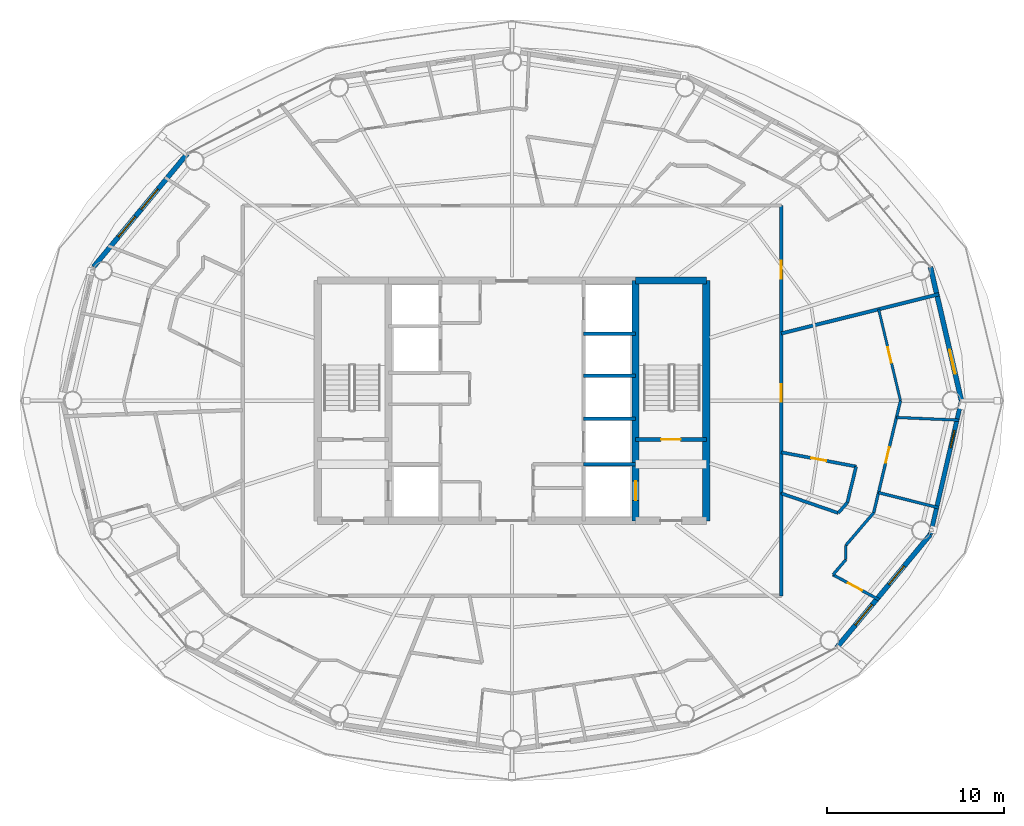
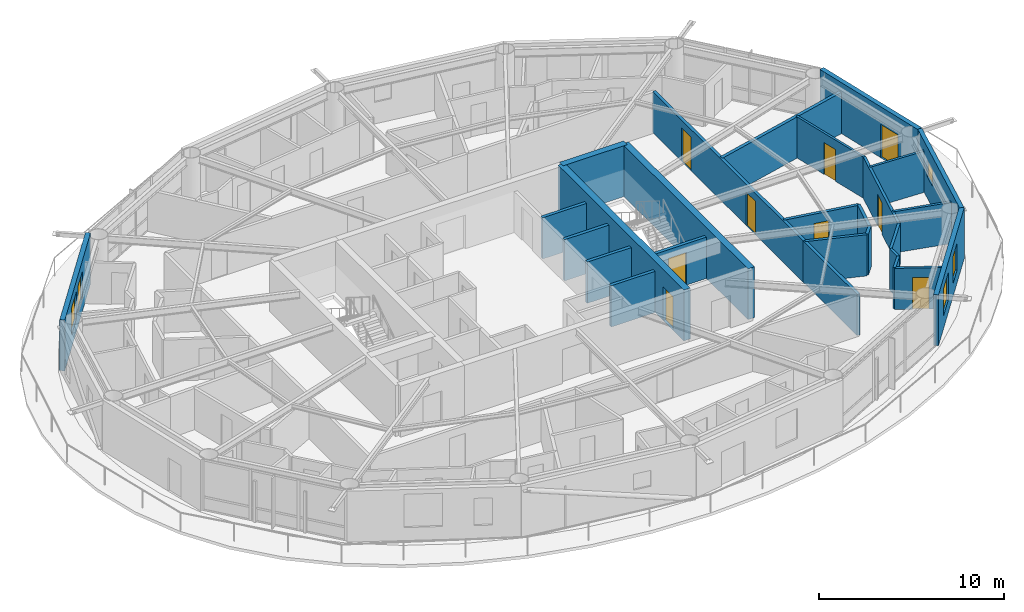
# One storey, part 18 of 23: 27 walls, 9 doors, 5 windows, 14 openings.
"""IFC4 building model written with IfcOpenShell, lengths in metres."""

from ifc_helpers import new_model, si_unit, direction, frame, frame_2d, origin, place, context, subcontext, project, spatial, rectangle, extrude, material, layer, layer_set, type_object, element, fill, save


model = new_model("IFC4")

# Units and contexts
model_context = context("Model", 3, precision=1e-05, world=origin(), true_north=direction((0.0, 1.0)))
body_context = subcontext(model_context, "Body", "Model", "MODEL_VIEW")
ifc_project = project(units=[si_unit("LENGTHUNIT", "METRE"), si_unit("AREAUNIT", "SQUARE_METRE"), si_unit("VOLUMEUNIT", "CUBIC_METRE"), si_unit("PLANEANGLEUNIT", "RADIAN"), si_unit("MASSUNIT", "GRAM", prefix="KILO")], contexts=[model_context])

# Site, building, storey
site_placement = place(None, origin())
site = spatial("IfcSite", under=ifc_project, at=site_placement, CompositionType="ELEMENT")
building_placement = place(site_placement, origin())
building = spatial("IfcBuilding", under=site, at=building_placement, Name="Sarneth Arch Tower", CompositionType="ELEMENT")
storey_placement = place(building_placement, frame((0.0, 0.0, 238.800048828125)))
storey = spatial("IfcBuildingStorey", under=building, at=storey_placement, Name="L61", CompositionType="ELEMENT", Elevation=238.800048828125)

# Walls
ifc_material_1 = material(Name="Concrete C50/60", Category="concrete")
ifc_layer_1 = layer(ifc_material_1, 0.39990234375)
ifc_layer_set_1 = layer_set([ifc_layer_1], Name="Concrete C50/60")
wall_type_1 = type_object("IfcWallType", Name="WALL-CORE-400", PredefinedType="SHEAR", material=ifc_layer_set_1)
wall_1_placement = place(storey_placement, frame((55.0, 48.800048828125, 0.0), z_axis=(0.0, 0.0, 1.0), x_axis=(1.0, 0.0, 0.0)))
element("IfcWall", 1, at=wall_1_placement, inside=storey, type_object=wall_type_1, Name="L61 Core shear wall N-E", PredefinedType="SHEAR", context=body_context, shape_type="SweptSolid", body=[
    extrude(rectangle(XDim=4.0, YDim=0.39990234375, at=frame_2d((2.0, 0.0))), origin(), (0.0, 0.0, 1.0), 3.35986328125),
])
wall_2_placement = place(storey_placement, frame((59.0, 35.199951171875, 0.0), z_axis=(0.0, 0.0, 1.0), x_axis=(0.0, 1.0, 0.0)))
element("IfcWall", 2, at=wall_2_placement, inside=storey, type_object=wall_type_1, Name="L61 Core shear wall E", PredefinedType="SHEAR", context=body_context, shape_type="SweptSolid", body=[
    extrude(rectangle(XDim=13.60009765625, YDim=0.39990234375, at=frame_2d((6.800048828125, 0.0))), origin(), (0.0, 0.0, 1.0), 3.35986328125),
])

# Wall, opening, door
wall_3_placement = place(storey_placement, frame((55.0, 35.199951171875, 0.0), z_axis=(0.0, 0.0, 1.0), x_axis=(0.0, 1.0, 0.0)))
wall_3 = element("IfcWall", 3, at=wall_3_placement, inside=storey, type_object=wall_type_1, Name="L61 Core shear wall WEB-E", PredefinedType="SHEAR", context=body_context, shape_type="SweptSolid", body=[
    extrude(rectangle(XDim=13.60009765625, YDim=0.39990234375, at=frame_2d((6.800048828125, 0.0))), origin(), (0.0, 0.0, 1.0), 3.35986328125),
])
opening_1_placement = place(wall_3_placement, frame((1.14990234375, 0.0, 0.0)))
opening_1 = element("IfcOpeningElement", 4, at=opening_1_placement, cuts=wall_3, Name="Opening LD-1", PredefinedType="OPENING", context=body_context, shape_type="SweptSolid", body=[
    extrude(rectangle(XDim=1.10009765625, YDim=2.199951171875, at=frame_2d((0.550048828125, 1.10009765625))), frame((0.0, 0.2099609375, 0.0), z_axis=(0.0, -1.0, 0.0), x_axis=(1.0, 0.0, 0.0)), (0.0, 0.0, 1.0), 0.419921875),
])
ifc_material_2 = material(Name="Brushed Stainless Steel 304 lift landing door", Category="steel")
door_type_1 = type_object("IfcDoorType", Name="DR-LIFT-SLIDE-1100", OperationType="SLIDING_TO_LEFT", PredefinedType="DOOR", material=ifc_material_2)
door_1_placement = place(opening_1_placement, origin())
door_1 = element("IfcDoor", 5, at=door_1_placement, inside=storey, type_object=door_type_1, Name="L61 Firefighting lift landing door FL-2", OperationType="SLIDING_TO_RIGHT", OverallHeight=2.199951171875, OverallWidth=1.10009765625, PredefinedType="DOOR", context=body_context, shape_type="SweptSolid", body=[
    extrude(rectangle(XDim=1.10009765625, YDim=2.199951171875, at=frame_2d((0.550048828125, 1.10009765625))), frame((0.0, 0.02490234375, 0.0), z_axis=(0.0, -1.0, 0.0), x_axis=(1.0, 0.0, 0.0)), (0.0, 0.0, 1.0), 0.050048828125),
])
fill(opening_1, door_1)

# Wall, openings, doors
ifc_material_3 = material(Name="Double steel-stud corridor fire wall", Category="steel")
ifc_layer_2 = layer(ifc_material_3, 0.18994140625)
ifc_layer_set_2 = layer_set([ifc_layer_2], Name="Double steel-stud corridor fire wall")
wall_type_2 = type_object("IfcWallType", Name="WALL-CORR-190", PredefinedType="PARTITIONING", material=ifc_layer_set_2)
wall_4_placement = place(storey_placement, frame((63.25, 53.050048828125, 0.0), z_axis=(0.0, 0.0, 1.0), x_axis=(0.0, -1.0, 0.0)))
wall_4 = element("IfcWall", 6, at=wall_4_placement, inside=storey, type_object=wall_type_2, Name="L61 Interior partition W-L61-TP-003", PredefinedType="PARTITIONING", context=body_context, shape_type="SweptSolid", body=[
    extrude(rectangle(XDim=16.3349609375, YDim=0.18994140625, at=frame_2d((8.16748046875, 0.0))), origin(), (0.0, 0.0, 1.0), 2.719970703125),
])
opening_2_placement = place(wall_4_placement, frame((3.140380859375, 0.0, 0.0)))
opening_2 = element("IfcOpeningElement", 7, at=opening_2_placement, cuts=wall_4, Name="Opening FD-08", PredefinedType="OPENING", context=body_context, shape_type="SweptSolid", body=[
    extrude(rectangle(XDim=1.0, YDim=2.199951171875, at=frame_2d((0.5, 1.10009765625))), frame((0.0, 0.10498046875, 0.0), z_axis=(0.0, -1.0, 0.0), x_axis=(1.0, 0.0, 0.0)), (0.0, 0.0, 1.0), 0.2099609375),
])
opening_3_placement = place(wall_4_placement, frame((10.110595703125, 0.0, 0.0)))
opening_3 = element("IfcOpeningElement", 8, at=opening_3_placement, cuts=wall_4, Name="Opening FD-08", PredefinedType="OPENING", context=body_context, shape_type="SweptSolid", body=[
    extrude(rectangle(XDim=1.0, YDim=2.199951171875, at=frame_2d((0.5, 1.10009765625))), frame((0.0, 0.10498046875, 0.0), z_axis=(0.0, -1.0, 0.0), x_axis=(1.0, 0.0, 0.0)), (0.0, 0.0, 1.0), 0.2099609375),
])
ifc_material_4 = material(Name="Hardwood timber acoustic fire door", Category="wood")
door_type_2 = type_object("IfcDoorType", Name="DR-FD60-1000", OperationType="SINGLE_SWING_LEFT", PredefinedType="DOOR", material=ifc_material_4)
door_2_placement = place(opening_2_placement, origin())
door_2 = element("IfcDoor", 9, at=door_2_placement, inside=storey, type_object=door_type_2, Name="L61 Interior door DR-L61-U1-ENT", OperationType="SINGLE_SWING_LEFT", OverallHeight=2.199951171875, OverallWidth=1.0, PredefinedType="DOOR", context=body_context, shape_type="SweptSolid", body=[
    extrude(rectangle(XDim=1.0, YDim=2.199951171875, at=frame_2d((0.5, 1.10009765625))), frame((0.0, 0.02490234375, 0.0), z_axis=(0.0, -1.0, 0.0), x_axis=(1.0, 0.0, 0.0)), (0.0, 0.0, 1.0), 0.050048828125),
])
fill(opening_2, door_2)
door_3_placement = place(opening_3_placement, origin())
door_3 = element("IfcDoor", 10, at=door_3_placement, inside=storey, type_object=door_type_2, Name="L61 Interior door DR-L61-U6-ENT", OperationType="SINGLE_SWING_RIGHT", OverallHeight=2.199951171875, OverallWidth=1.0, PredefinedType="DOOR", context=body_context, shape_type="SweptSolid", body=[
    extrude(rectangle(XDim=1.0, YDim=2.199951171875, at=frame_2d((0.5, 1.10009765625))), frame((0.0, 0.02490234375, 0.0), z_axis=(0.0, -1.0, 0.0), x_axis=(1.0, 0.0, 0.0)), (0.0, 0.0, 1.0), 0.050048828125),
])
fill(opening_3, door_3)

# Wall
wall_5_placement = place(storey_placement, frame((63.25, 36.78271484375, 0.0), z_axis=(0.0, 0.0, 1.0), x_axis=(0.0, -1.0, 0.0)))
element("IfcWall", 11, at=wall_5_placement, inside=storey, type_object=wall_type_2, Name="L61 Interior partition W-L61-TP-016", PredefinedType="PARTITIONING", context=body_context, shape_type="SweptSolid", body=[
    extrude(rectangle(XDim=5.832763671875, YDim=0.18994140625, at=frame_2d((2.91650390625, 0.0))), origin(), (0.0, 0.0, 1.0), 2.719970703125),
])

# Wall, opening, window
ifc_material_5 = material(Name="Extruded terracotta rainscreen on Concrete C40/50 backing", Category="masonry")
ifc_layer_3 = layer(ifc_material_5, 0.25)
ifc_layer_set_3 = layer_set([ifc_layer_3], Name="Extruded terracotta rainscreen on Concrete C40/50 backing")
wall_type_3 = type_object("IfcWallType", Name="WALL-EXT-SPAND-250", PredefinedType="SOLIDWALL", material=ifc_layer_set_3)
wall_6_placement = place(storey_placement, frame((71.69384765625, 34.430419921875, 0.0), z_axis=(0.0, 0.0, 1.0), x_axis=(0.225635078214, 0.974211892495, 0.0)))
wall_6 = element("IfcWall", 12, at=wall_6_placement, inside=storey, type_object=wall_type_3, Name="L61 Terracotta perimeter wall 16", PredefinedType="SOLIDWALL", context=body_context, shape_type="SweptSolid", body=[
    extrude(rectangle(XDim=7.77001953125, YDim=0.25, at=frame_2d((3.885009765625, 0.0))), origin(), (0.0, 0.0, 1.0), 3.35986328125),
])
opening_4_placement = place(wall_6_placement, frame((5.034423828125, 0.0, 1.419921875)))
opening_4 = element("IfcOpeningElement", 13, at=opening_4_placement, cuts=wall_6, Name="Opening W-14", PredefinedType="OPENING", context=body_context, shape_type="SweptSolid", body=[
    extrude(rectangle(XDim=1.0, YDim=1.050048828125, at=frame_2d((0.5, 0.52490234375))), frame((0.0, 0.135009765625, 0.0), z_axis=(0.0, -1.0, 0.0), x_axis=(1.0, 0.0, 0.0)), (0.0, 0.0, 1.0), 0.27001953125),
])
ifc_material_6 = material(Name="Thermally broken Aluminium 6063-T6 and low-e laminated IGU", Category="aluminium")
window_type_1 = type_object("IfcWindowType", Name="WIN-TWR-1000x1050", PartitioningType="SINGLE_PANEL", PredefinedType="WINDOW", material=ifc_material_6)
window_1_placement = place(opening_4_placement, origin())
window_1 = element("IfcWindow", 14, at=window_1_placement, inside=storey, type_object=window_type_1, Name="L61 Dwelling bedroom window 06", OverallHeight=1.050048828125, OverallWidth=1.0, PartitioningType="SINGLE_PANEL", PredefinedType="WINDOW", context=body_context, shape_type="SweptSolid", body=[
    extrude(rectangle(XDim=1.0, YDim=1.050048828125, at=frame_2d((0.5, 0.52490234375))), frame((0.0, 0.030029296875, 0.0), z_axis=(0.0, -1.0, 0.0), x_axis=(1.0, 0.0, 0.0)), (0.0, 0.0, 1.0), 0.06005859375),
])
fill(opening_4, window_1)

# Wall, opening, door
ifc_material_7 = material(Name="Extruded terracotta rainscreen on Concrete C40/50 backing", Category="masonry")
ifc_layer_4 = layer(ifc_material_7, 0.280029296875)
ifc_layer_set_4 = layer_set([ifc_layer_4], Name="Extruded terracotta rainscreen on Concrete C40/50 backing")
wall_type_4 = type_object("IfcWallType", Name="WALL-EXT-TERRA-280", PredefinedType="SOLIDWALL", material=ifc_layer_set_4)
wall_7_placement = place(storey_placement, frame((73.447021484375, 42.0, 0.0), z_axis=(0.0, 0.0, 1.0), x_axis=(-0.225635078214, 0.974211892495, 0.0)))
wall_7 = element("IfcWall", 15, at=wall_7_placement, inside=storey, type_object=wall_type_4, Name="L61 Terracotta perimeter wall 01", PredefinedType="SOLIDWALL", context=body_context, shape_type="SweptSolid", body=[
    extrude(rectangle(XDim=7.77001953125, YDim=0.280029296875, at=frame_2d((3.885009765625, 0.0))), origin(), (0.0, 0.0, 1.0), 3.35986328125),
])
opening_5_placement = place(wall_7_placement, frame((1.55712890625, 0.0, 0.0)))
opening_5 = element("IfcOpeningElement", 16, at=opening_5_placement, cuts=wall_7, Name="Opening BD-2", PredefinedType="OPENING", context=body_context, shape_type="SweptSolid", body=[
    extrude(rectangle(XDim=1.39990234375, YDim=2.199951171875, at=frame_2d((0.699951171875, 1.10009765625))), frame((0.0, 0.14990234375, 0.0), z_axis=(0.0, -1.0, 0.0), x_axis=(1.0, 0.0, 0.0)), (0.0, 0.0, 1.0), 0.300048828125),
])
ifc_material_8 = material(Name="Thermally broken Aluminium 6063-T6 and laminated safety glass", Category="aluminium")
door_type_3 = type_object("IfcDoorType", Name="DR-BALC-GLZ-1400", OperationType="SINGLE_SWING_LEFT", PredefinedType="DOOR", material=ifc_material_8)
door_4_placement = place(opening_5_placement, origin())
door_4 = element("IfcDoor", 17, at=door_4_placement, inside=storey, type_object=door_type_3, Name="L61 Balcony glazed door 01", OperationType="SINGLE_SWING_LEFT", OverallHeight=2.199951171875, OverallWidth=1.39990234375, PredefinedType="DOOR", context=body_context, shape_type="SweptSolid", body=[
    extrude(rectangle(XDim=1.39990234375, YDim=2.199951171875, at=frame_2d((0.699951171875, 1.10009765625))), frame((0.0, 0.02490234375, 0.0), z_axis=(0.0, -1.0, 0.0), x_axis=(1.0, 0.0, 0.0)), (0.0, 0.0, 1.0), 0.050048828125),
])
fill(opening_5, door_4)

# Wall, openings, windows
wall_8_placement = place(storey_placement, frame((29.617431640625, 55.986572265625, 0.0), z_axis=(0.0, 0.0, 1.0), x_axis=(-0.63761509934, -0.770355103243, 0.0)))
wall_8 = element("IfcWall", 18, at=wall_8_placement, inside=storey, type_object=wall_type_4, Name="L61 Terracotta perimeter wall 07", PredefinedType="SOLIDWALL", context=body_context, shape_type="SweptSolid", body=[
    extrude(rectangle(XDim=8.329833984375, YDim=0.280029296875, at=frame_2d((4.1650390625, 0.0))), origin(), (0.0, 0.0, 1.0), 3.35986328125),
])
opening_6_placement = place(wall_8_placement, frame((2.604248046875, 0.0, 0.85009765625)))
opening_6 = element("IfcOpeningElement", 19, at=opening_6_placement, cuts=wall_8, Name="Opening W-07", PredefinedType="OPENING", context=body_context, shape_type="SweptSolid", body=[
    extrude(rectangle(XDim=1.5, YDim=1.800048828125, at=frame_2d((0.75, 0.89990234375))), frame((0.0, 0.14990234375, 0.0), z_axis=(0.0, -1.0, 0.0), x_axis=(1.0, 0.0, 0.0)), (0.0, 0.0, 1.0), 0.300048828125),
])
opening_7_placement = place(wall_8_placement, frame((4.614501953125, 0.0, 0.85009765625)))
opening_7 = element("IfcOpeningElement", 20, at=opening_7_placement, cuts=wall_8, Name="Opening W-07", PredefinedType="OPENING", context=body_context, shape_type="SweptSolid", body=[
    extrude(rectangle(XDim=1.5, YDim=1.800048828125, at=frame_2d((0.75, 0.89990234375))), frame((0.0, 0.14990234375, 0.0), z_axis=(0.0, -1.0, 0.0), x_axis=(1.0, 0.0, 0.0)), (0.0, 0.0, 1.0), 0.300048828125),
])
ifc_material_9 = material(Name="Thermally broken Aluminium 6063-T6 and low-e laminated IGU", Category="aluminium")
window_type_2 = type_object("IfcWindowType", Name="WIN-TWR-1500x1800", PartitioningType="SINGLE_PANEL", PredefinedType="WINDOW", material=ifc_material_9)
window_2_placement = place(opening_6_placement, origin())
window_2 = element("IfcWindow", 21, at=window_2_placement, inside=storey, type_object=window_type_2, Name="L61 Exterior window 07A", OverallHeight=1.800048828125, OverallWidth=1.5, PartitioningType="SINGLE_PANEL", PredefinedType="WINDOW", context=body_context, shape_type="SweptSolid", body=[
    extrude(rectangle(XDim=1.5, YDim=1.800048828125, at=frame_2d((0.75, 0.89990234375))), frame((0.0, 0.030029296875, 0.0), z_axis=(0.0, -1.0, 0.0), x_axis=(1.0, 0.0, 0.0)), (0.0, 0.0, 1.0), 0.06005859375),
])
fill(opening_6, window_2)
window_3_placement = place(opening_7_placement, origin())
window_3 = element("IfcWindow", 22, at=window_3_placement, inside=storey, type_object=window_type_2, Name="L61 Exterior window 07B", OverallHeight=1.800048828125, OverallWidth=1.5, PartitioningType="SINGLE_PANEL", PredefinedType="WINDOW", context=body_context, shape_type="SweptSolid", body=[
    extrude(rectangle(XDim=1.5, YDim=1.800048828125, at=frame_2d((0.75, 0.89990234375))), frame((0.0, 0.030029296875, 0.0), z_axis=(0.0, -1.0, 0.0), x_axis=(1.0, 0.0, 0.0)), (0.0, 0.0, 1.0), 0.06005859375),
])
fill(opening_7, window_3)

wall_9_placement = place(storey_placement, frame((66.382568359375, 28.013427734375, 0.0), z_axis=(0.0, 0.0, 1.0), x_axis=(0.63761509934, 0.770355103243, 0.0)))
wall_9 = element("IfcWall", 23, at=wall_9_placement, inside=storey, type_object=wall_type_4, Name="L61 Terracotta perimeter wall 15", PredefinedType="SOLIDWALL", context=body_context, shape_type="SweptSolid", body=[
    extrude(rectangle(XDim=8.329833984375, YDim=0.280029296875, at=frame_2d((4.1650390625, 0.0))), origin(), (0.0, 0.0, 1.0), 3.35986328125),
])
opening_8_placement = place(wall_9_placement, frame((1.6630859375, 0.0, 0.85009765625)))
opening_8 = element("IfcOpeningElement", 24, at=opening_8_placement, cuts=wall_9, Name="Opening W-07", PredefinedType="OPENING", context=body_context, shape_type="SweptSolid", body=[
    extrude(rectangle(XDim=1.5, YDim=1.800048828125, at=frame_2d((0.75, 0.89990234375))), frame((0.0, 0.14990234375, 0.0), z_axis=(0.0, -1.0, 0.0), x_axis=(1.0, 0.0, 0.0)), (0.0, 0.0, 1.0), 0.300048828125),
])
opening_9_placement = place(wall_9_placement, frame((4.64306640625, 0.0, 0.85009765625)))
opening_9 = element("IfcOpeningElement", 25, at=opening_9_placement, cuts=wall_9, Name="Opening W-08", PredefinedType="OPENING", context=body_context, shape_type="SweptSolid", body=[
    extrude(rectangle(XDim=1.35009765625, YDim=1.800048828125, at=frame_2d((0.675048828125, 0.89990234375))), frame((0.0, 0.14990234375, 0.0), z_axis=(0.0, -1.0, 0.0), x_axis=(1.0, 0.0, 0.0)), (0.0, 0.0, 1.0), 0.300048828125),
])
ifc_material_10 = material(Name="Thermally broken Aluminium 6063-T6 and low-e laminated IGU", Category="aluminium")
window_type_3 = type_object("IfcWindowType", Name="WIN-TWR-1350x1800", PartitioningType="SINGLE_PANEL", PredefinedType="WINDOW", material=ifc_material_10)
window_4_placement = place(opening_9_placement, origin())
window_4 = element("IfcWindow", 26, at=window_4_placement, inside=storey, type_object=window_type_3, Name="L61 Exterior window 15B", OverallHeight=1.800048828125, OverallWidth=1.35009765625, PartitioningType="SINGLE_PANEL", PredefinedType="WINDOW", context=body_context, shape_type="SweptSolid", body=[
    extrude(rectangle(XDim=1.35009765625, YDim=1.800048828125, at=frame_2d((0.675048828125, 0.89990234375))), frame((0.0, 0.030029296875, 0.0), z_axis=(0.0, -1.0, 0.0), x_axis=(1.0, 0.0, 0.0)), (0.0, 0.0, 1.0), 0.06005859375),
])
fill(opening_9, window_4)
window_5_placement = place(opening_8_placement, origin())
window_5 = element("IfcWindow", 27, at=window_5_placement, inside=storey, type_object=window_type_2, Name="L61 Exterior window 15A", OverallHeight=1.800048828125, OverallWidth=1.5, PartitioningType="SINGLE_PANEL", PredefinedType="WINDOW", context=body_context, shape_type="SweptSolid", body=[
    extrude(rectangle(XDim=1.5, YDim=1.800048828125, at=frame_2d((0.75, 0.89990234375))), frame((0.0, 0.030029296875, 0.0), z_axis=(0.0, -1.0, 0.0), x_axis=(1.0, 0.0, 0.0)), (0.0, 0.0, 1.0), 0.06005859375),
])
fill(opening_8, window_5)

# Wall, opening, door
ifc_material_11 = material(Name="Apartment internal stud partition", Category="gypsum")
ifc_layer_5 = layer(ifc_material_11, 0.139892578125)
ifc_layer_set_5 = layer_set([ifc_layer_5], Name="Apartment internal stud partition")
wall_type_5 = type_object("IfcWallType", Name="WALL-PART-140", PredefinedType="PARTITIONING", material=ifc_layer_set_5)
wall_10_placement = place(storey_placement, frame((69.996337890625, 42.0, 0.0), z_axis=(0.0, 0.0, 1.0), x_axis=(-0.232321322639, 0.972639091877, 0.0)))
wall_10 = element("IfcWall", 28, at=wall_10_placement, inside=storey, type_object=wall_type_5, Name="L61 Interior partition W-L61-TP-126", PredefinedType="PARTITIONING", context=body_context, shape_type="SweptSolid", body=[
    extrude(rectangle(XDim=5.321533203125, YDim=0.139892578125, at=frame_2d((2.66064453125, 0.0))), origin(), (0.0, 0.0, 1.0), 2.719970703125),
])
opening_10_placement = place(wall_10_placement, frame((2.210693359375, 0.0, 0.0)))
opening_10 = element("IfcOpeningElement", 29, at=opening_10_placement, cuts=wall_10, Name="Opening ID-01", PredefinedType="OPENING", context=body_context, shape_type="SweptSolid", body=[
    extrude(rectangle(XDim=0.89990234375, YDim=2.10009765625, at=frame_2d((0.449951171875, 1.050048828125))), frame((0.0, 0.079833984375, 0.0), z_axis=(0.0, -1.0, 0.0), x_axis=(1.0, 0.0, 0.0)), (0.0, 0.0, 1.0), 0.159912109375),
])
ifc_material_12 = material(Name="Engineered hardwood flush door", Category="wood")
door_type_4 = type_object("IfcDoorType", Name="DR-INT-900", OperationType="SINGLE_SWING_LEFT", PredefinedType="DOOR", material=ifc_material_12)
door_5_placement = place(opening_10_placement, origin())
door_5 = element("IfcDoor", 30, at=door_5_placement, inside=storey, type_object=door_type_4, Name="L61 Interior door DR-L61-U6-BED2", OperationType="SINGLE_SWING_LEFT", OverallHeight=2.10009765625, OverallWidth=0.89990234375, PredefinedType="DOOR", context=body_context, shape_type="SweptSolid", body=[
    extrude(rectangle(XDim=0.89990234375, YDim=2.10009765625, at=frame_2d((0.449951171875, 1.050048828125))), frame((0.0, 0.02490234375, 0.0), z_axis=(0.0, -1.0, 0.0), x_axis=(1.0, 0.0, 0.0)), (0.0, 0.0, 1.0), 0.050048828125),
])
fill(opening_10, door_5)

# Wall
ifc_material_13 = material(Name="Acoustic gypsum stud partition", Category="gypsum")
ifc_layer_6 = layer(ifc_material_13, 0.14990234375)
ifc_layer_set_6 = layer_set([ifc_layer_6], Name="Acoustic gypsum stud partition")
wall_type_6 = type_object("IfcWallType", Name="WALL-PART-150", PredefinedType="PARTITIONING", material=ifc_layer_set_6)
wall_11_placement = place(storey_placement, frame((73.31201171875, 40.89501953125, 0.0), z_axis=(0.0, 0.0, 1.0), x_axis=(-0.999049912793, 0.043580635022, 0.0)))
element("IfcWall", 31, at=wall_11_placement, inside=storey, type_object=wall_type_6, Name="L61 Interior partition W-L61-TP-128", PredefinedType="PARTITIONING", context=body_context, shape_type="SweptSolid", body=[
    extrude(rectangle(XDim=3.546142578125, YDim=0.14990234375, at=frame_2d((1.77294921875, 0.0))), origin(), (0.0, 0.0, 1.0), 2.719970703125),
])

# Wall, opening, door
ifc_material_14 = material(Name="Kitchen wet service chase wall", Category="gypsum")
ifc_layer_7 = layer(ifc_material_14, 0.159912109375)
ifc_layer_set_7 = layer_set([ifc_layer_7], Name="Kitchen wet service chase wall")
wall_type_7 = type_object("IfcWallType", Name="WALL-PLUMB-160", PredefinedType="PLUMBINGWALL", material=ifc_layer_set_7)
wall_12_placement = place(storey_placement, frame((69.996337890625, 42.0, 0.0), z_axis=(0.0, 0.0, 1.0), x_axis=(-0.232298462197, -0.972644551962, 0.0)))
wall_12 = element("IfcWall", 32, at=wall_12_placement, inside=storey, type_object=wall_type_7, Name="L61 Interior partition W-L61-TP-124", PredefinedType="PLUMBINGWALL", context=body_context, shape_type="SweptSolid", body=[
    extrude(rectangle(XDim=6.5234375, YDim=0.159912109375, at=frame_2d((3.26171875, 0.0))), origin(), (0.0, 0.0, 1.0), 2.719970703125),
])
opening_11_placement = place(wall_12_placement, frame((2.715087890625, 0.0, 0.0)))
opening_11 = element("IfcOpeningElement", 33, at=opening_11_placement, cuts=wall_12, Name="Opening ID-01", PredefinedType="OPENING", context=body_context, shape_type="SweptSolid", body=[
    extrude(rectangle(XDim=0.89990234375, YDim=2.10009765625, at=frame_2d((0.449951171875, 1.050048828125))), frame((0.0, 0.08984375, 0.0), z_axis=(0.0, -1.0, 0.0), x_axis=(1.0, 0.0, 0.0)), (0.0, 0.0, 1.0), 0.179931640625),
])
door_6_placement = place(opening_11_placement, origin())
door_6 = element("IfcDoor", 34, at=door_6_placement, inside=storey, type_object=door_type_4, Name="L61 Interior door DR-L61-U6-BED1", OperationType="SINGLE_SWING_RIGHT", OverallHeight=2.10009765625, OverallWidth=0.89990234375, PredefinedType="DOOR", context=body_context, shape_type="SweptSolid", body=[
    extrude(rectangle(XDim=0.89990234375, YDim=2.10009765625, at=frame_2d((0.449951171875, 1.050048828125))), frame((0.0, 0.02490234375, 0.0), z_axis=(0.0, -1.0, 0.0), x_axis=(1.0, 0.0, 0.0)), (0.0, 0.0, 1.0), 0.050048828125),
])
fill(opening_11, door_6)

# Wall
wall_13_placement = place(storey_placement, frame((72.165771484375, 35.936767578125, 0.0), z_axis=(0.0, 0.0, 1.0), x_axis=(-0.96994628441, 0.24331914302, 0.0)))
element("IfcWall", 35, at=wall_13_placement, inside=storey, type_object=wall_type_7, Name="L61 Interior partition W-L61-TP-127", PredefinedType="PLUMBINGWALL", context=body_context, shape_type="SweptSolid", body=[
    extrude(rectangle(XDim=3.518798828125, YDim=0.159912109375, at=frame_2d((1.75927734375, 0.0))), origin(), (0.0, 0.0, 1.0), 2.719970703125),
])

# Wall, opening, door
wall_14_placement = place(storey_placement, frame((68.781005859375, 30.726806640625, 0.0), z_axis=(0.0, 0.0, 1.0), x_axis=(-0.878981574643, 0.476855734408, 0.0)))
wall_14 = element("IfcWall", 36, at=wall_14_placement, inside=storey, type_object=wall_type_7, Name="L61 Interior partition W-L61-TP-115", PredefinedType="PLUMBINGWALL", context=body_context, shape_type="SweptSolid", body=[
    extrude(rectangle(XDim=2.96630859375, YDim=0.159912109375, at=frame_2d((1.483154296875, 0.0))), origin(), (0.0, 0.0, 1.0), 2.719970703125),
])
opening_12_placement = place(wall_14_placement, frame((1.09326171875, 0.0, 0.0)))
opening_12 = element("IfcOpeningElement", 37, at=opening_12_placement, cuts=wall_14, Name="Opening ID-01", PredefinedType="OPENING", context=body_context, shape_type="SweptSolid", body=[
    extrude(rectangle(XDim=0.89990234375, YDim=2.10009765625, at=frame_2d((0.449951171875, 1.050048828125))), frame((0.0, 0.08984375, 0.0), z_axis=(0.0, -1.0, 0.0), x_axis=(1.0, 0.0, 0.0)), (0.0, 0.0, 1.0), 0.179931640625),
])
door_7_placement = place(opening_12_placement, origin())
door_7 = element("IfcDoor", 38, at=door_7_placement, inside=storey, type_object=door_type_4, Name="L61 Interior door DR-L61-U6-KIT", OperationType="SINGLE_SWING_LEFT", OverallHeight=2.10009765625, OverallWidth=0.89990234375, PredefinedType="DOOR", context=body_context, shape_type="SweptSolid", body=[
    extrude(rectangle(XDim=0.89990234375, YDim=2.10009765625, at=frame_2d((0.449951171875, 1.050048828125))), frame((0.0, 0.02490234375, 0.0), z_axis=(0.0, -1.0, 0.0), x_axis=(1.0, 0.0, 0.0)), (0.0, 0.0, 1.0), 0.050048828125),
])
fill(opening_12, door_7)

# Walls
wall_15_placement = place(storey_placement, frame((66.89990234375, 33.802978515625, 0.0), z_axis=(0.0, 0.0, 1.0), x_axis=(0.649270866973, 0.760557257082, 0.0)))
element("IfcWall", 39, at=wall_15_placement, inside=storey, type_object=wall_type_7, Name="L61 Interior partition W-L61-TP-118", PredefinedType="PLUMBINGWALL", context=body_context, shape_type="SweptSolid", body=[
    extrude(rectangle(XDim=2.43505859375, YDim=0.159912109375, at=frame_2d((1.217529296875, 0.0))), origin(), (0.0, 0.0, 1.0), 2.719970703125),
])
wall_16_placement = place(storey_placement, frame((66.173583984375, 32.141357421875, 0.0), z_axis=(0.0, 0.0, 1.0), x_axis=(0.648939178463, 0.760840287219, 0.0)))
element("IfcWall", 40, at=wall_16_placement, inside=storey, type_object=wall_type_7, Name="L61 Interior partition W-L61-TP-116", PredefinedType="PLUMBINGWALL", context=body_context, shape_type="SweptSolid", body=[
    extrude(rectangle(XDim=1.119140625, YDim=0.159912109375, at=frame_2d((0.5595703125, 0.0))), origin(), (0.0, 0.0, 1.0), 2.719970703125),
])
wall_17_placement = place(storey_placement, frame((66.89990234375, 32.992919921875, 0.0), z_axis=(0.0, 0.0, 1.0), x_axis=(0.0, 1.0, 0.0)))
element("IfcWall", 41, at=wall_17_placement, inside=storey, type_object=wall_type_7, Name="L61 Interior partition W-L61-TP-117", PredefinedType="PLUMBINGWALL", context=body_context, shape_type="SweptSolid", body=[
    extrude(rectangle(XDim=0.81005859375, YDim=0.159912109375, at=frame_2d((0.405029296875, 0.0))), origin(), (0.0, 0.0, 1.0), 2.719970703125),
])

# Wall, opening, door
ifc_material_15 = material(Name="Moisture-resistant plumbing chase wall", Category="gypsum")
ifc_layer_8 = layer(ifc_material_15, 0.179931640625)
ifc_layer_set_8 = layer_set([ifc_layer_8], Name="Moisture-resistant plumbing chase wall")
wall_type_8 = type_object("IfcWallType", Name="WALL-PLUMB-180", PredefinedType="PLUMBINGWALL", material=ifc_layer_set_8)
wall_18_placement = place(storey_placement, frame((63.25, 39.076171875, 0.0), z_axis=(0.0, 0.0, 1.0), x_axis=(0.982398995864, -0.186794574134, 0.0)))
wall_18 = element("IfcWall", 42, at=wall_18_placement, inside=storey, type_object=wall_type_8, Name="L61 Interior partition W-L61-TP-120", PredefinedType="PLUMBINGWALL", context=body_context, shape_type="SweptSolid", body=[
    extrude(rectangle(XDim=4.310546875, YDim=0.179931640625, at=frame_2d((2.1552734375, 0.0))), origin(), (0.0, 0.0, 1.0), 2.719970703125),
])
opening_13_placement = place(wall_18_placement, frame((1.730224609375, 0.0, 0.0)))
opening_13 = element("IfcOpeningElement", 43, at=opening_13_placement, cuts=wall_18, Name="Opening ID-02", PredefinedType="OPENING", context=body_context, shape_type="SweptSolid", body=[
    extrude(rectangle(XDim=0.85009765625, YDim=2.10009765625, at=frame_2d((0.425048828125, 1.050048828125))), frame((0.0, 0.099853515625, 0.0), z_axis=(0.0, -1.0, 0.0), x_axis=(1.0, 0.0, 0.0)), (0.0, 0.0, 1.0), 0.199951171875),
])
ifc_material_16 = material(Name="Moisture-resistant bathroom timber door", Category="wood")
door_type_5 = type_object("IfcDoorType", Name="DR-INT-850", OperationType="SINGLE_SWING_RIGHT", PredefinedType="DOOR", material=ifc_material_16)
door_8_placement = place(opening_13_placement, origin())
door_8 = element("IfcDoor", 44, at=door_8_placement, inside=storey, type_object=door_type_5, Name="L61 Interior door DR-L61-U6-BATH", OperationType="SINGLE_SWING_RIGHT", OverallHeight=2.10009765625, OverallWidth=0.85009765625, PredefinedType="DOOR", context=body_context, shape_type="SweptSolid", body=[
    extrude(rectangle(XDim=0.85009765625, YDim=2.10009765625, at=frame_2d((0.425048828125, 1.050048828125))), frame((0.0, 0.02490234375, 0.0), z_axis=(0.0, -1.0, 0.0), x_axis=(1.0, 0.0, 0.0)), (0.0, 0.0, 1.0), 0.050048828125),
])
fill(opening_13, door_8)

# Walls
wall_19_placement = place(storey_placement, frame((66.47412109375, 35.638916015625, 0.0), z_axis=(0.0, 0.0, 1.0), x_axis=(-0.945522773294, 0.325555963211, 0.0)))
element("IfcWall", 45, at=wall_19_placement, inside=storey, type_object=wall_type_8, Name="L61 Interior partition W-L61-TP-123", PredefinedType="PLUMBINGWALL", context=body_context, shape_type="SweptSolid", body=[
    extrude(rectangle(XDim=3.409912109375, YDim=0.179931640625, at=frame_2d((1.705078125, 0.0))), origin(), (0.0, 0.0, 1.0), 2.719970703125),
])
wall_20_placement = place(storey_placement, frame((67.484619140625, 38.27099609375, 0.0), z_axis=(0.0, 0.0, 1.0), x_axis=(-0.236517575433, -0.971627210668, 0.0)))
element("IfcWall", 46, at=wall_20_placement, inside=storey, type_object=wall_type_8, Name="L61 Interior partition W-L61-TP-121", PredefinedType="PLUMBINGWALL", context=body_context, shape_type="SweptSolid", body=[
    extrude(rectangle(XDim=2.1015625, YDim=0.179931640625, at=frame_2d((1.05078125, 0.0))), origin(), (0.0, 0.0, 1.0), 2.719970703125),
])
wall_21_placement = place(storey_placement, frame((66.987548828125, 36.22900390625, 0.0), z_axis=(0.0, 0.0, 1.0), x_axis=(-0.656402785683, -0.754410619589, 0.0)))
element("IfcWall", 47, at=wall_21_placement, inside=storey, type_object=wall_type_8, Name="L61 Interior partition W-L61-TP-122", PredefinedType="PLUMBINGWALL", context=body_context, shape_type="SweptSolid", body=[
    extrude(rectangle(XDim=0.7822265625, YDim=0.179931640625, at=frame_2d((0.39111328125, 0.0))), origin(), (0.0, 0.0, 1.0), 2.719970703125),
])

# Wall, opening, door
ifc_material_17 = material(Name="Aerated concrete blockwork C25/30", Category="masonry")
ifc_layer_9 = layer(ifc_material_17, 0.199951171875)
ifc_layer_set_9 = layer_set([ifc_layer_9], Name="Aerated concrete blockwork C25/30")
wall_type_9 = type_object("IfcWallType", Name="WALL-SHAFT-200", PredefinedType="SOLIDWALL", material=ifc_layer_set_9)
wall_22_placement = place(storey_placement, frame((55.0, 39.800048828125, 0.0), z_axis=(0.0, 0.0, 1.0), x_axis=(1.0, 0.0, 0.0)))
wall_22 = element("IfcWall", 48, at=wall_22_placement, inside=storey, type_object=wall_type_9, Name="L61 Interior partition W-L61-ST2-S", PredefinedType="SOLIDWALL", context=body_context, shape_type="SweptSolid", body=[
    extrude(rectangle(XDim=4.0, YDim=0.199951171875, at=frame_2d((2.0, 0.0))), origin(), (0.0, 0.0, 1.0), 2.719970703125),
])
opening_14_placement = place(wall_22_placement, frame((1.449951171875, 0.0, 0.0)))
opening_14 = element("IfcOpeningElement", 49, at=opening_14_placement, cuts=wall_22, Name="Opening FD-03", PredefinedType="OPENING", context=body_context, shape_type="SweptSolid", body=[
    extrude(rectangle(XDim=1.10009765625, YDim=2.14990234375, at=frame_2d((0.550048828125, 1.074951171875))), frame((0.0, 0.10986328125, 0.0), z_axis=(0.0, -1.0, 0.0), x_axis=(1.0, 0.0, 0.0)), (0.0, 0.0, 1.0), 0.219970703125),
])
ifc_material_18 = material(Name="Galvanised Steel S275 fire door set", Category="steel")
door_type_6 = type_object("IfcDoorType", Name="DR-FD90-1100", OperationType="SINGLE_SWING_LEFT", PredefinedType="DOOR", material=ifc_material_18)
door_9_placement = place(opening_14_placement, origin())
door_9 = element("IfcDoor", 50, at=door_9_placement, inside=storey, type_object=door_type_6, Name="L61 Interior door DR-L61-ST2", OperationType="SINGLE_SWING_RIGHT", OverallHeight=2.14990234375, OverallWidth=1.10009765625, PredefinedType="DOOR", context=body_context, shape_type="SweptSolid", body=[
    extrude(rectangle(XDim=1.10009765625, YDim=2.14990234375, at=frame_2d((0.550048828125, 1.074951171875))), frame((0.0, 0.02490234375, 0.0), z_axis=(0.0, -1.0, 0.0), x_axis=(1.0, 0.0, 0.0)), (0.0, 0.0, 1.0), 0.050048828125),
])
fill(opening_14, door_9)

# Walls
for number, where, z_axis, x_axis, name in (
    (51, (52.050048828125, 38.39990234375, 0.0), (0.0, 0.0, 1.0), (1.0, 0.0, 0.0), "L61 Interior partition W-L61-FL2-N"),
    (52, (52.050048828125, 40.97998046875, 0.0), (0.0, 0.0, 1.0), (1.0, 0.0, 0.0), "L61 Interior partition W-L61-EB-DIV-4098"),
    (53, (52.050048828125, 43.419921875, 0.0), (0.0, 0.0, 1.0), (1.0, 0.0, 0.0), "L61 Interior partition W-L61-EB-DIV-4342"),
    (54, (52.050048828125, 45.800048828125, 0.0), (0.0, 0.0, 1.0), (1.0, 0.0, 0.0), "L61 Interior partition W-L61-EB-DIV-4580"),
):
    element("IfcWall", number, at=place(storey_placement, frame(where, z_axis=z_axis, x_axis=x_axis)), inside=storey, type_object=wall_type_9, Name=name, PredefinedType="SOLIDWALL", context=body_context, shape_type="SweptSolid", body=[
        extrude(rectangle(XDim=2.949951171875, YDim=0.199951171875, at=frame_2d((1.47509765625, 0.0))), origin(), (0.0, 0.0, 1.0), 2.719970703125),
    ])
ifc_material_19 = material(Name="Double steel-stud acoustic drywall", Category="steel")
ifc_layer_10 = layer(ifc_material_19, 0.199951171875)
ifc_layer_set_10 = layer_set([ifc_layer_10], Name="Double steel-stud acoustic drywall")
wall_type_10 = type_object("IfcWallType", Name="WALL-UNIT-200", PredefinedType="PARTITIONING", material=ifc_layer_set_10)
wall_23_placement = place(storey_placement, frame((63.25, 45.80224609375, 0.0), z_axis=(0.0, 0.0, 1.0), x_axis=(0.970293772743, 0.241929730659, 0.0)))
element("IfcWall", 55, at=wall_23_placement, inside=storey, type_object=wall_type_10, Name="L61 Interior partition W-L61-TP-036", PredefinedType="PARTITIONING", context=body_context, shape_type="SweptSolid", body=[
    extrude(rectangle(XDim=9.197265625, YDim=0.199951171875, at=frame_2d((4.5986328125, 0.0))), origin(), (0.0, 0.0, 1.0), 2.719970703125),
])

save(model, "model.ifc")
